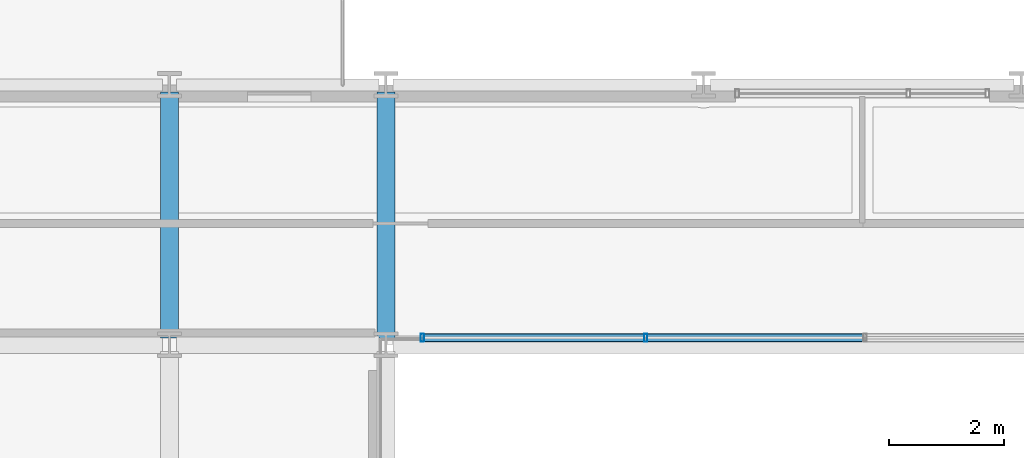
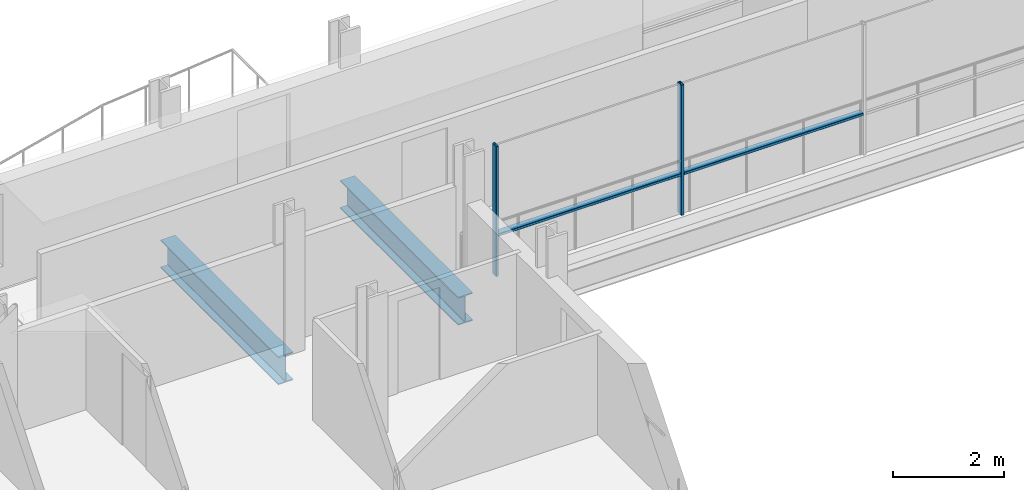
# One storey, part 9 of 41: 4 members, 2 beams, 1 element without a shape of its own.
"""IFC4 building model written with IfcOpenShell, lengths in metres."""

from ifc_helpers import new_model, si_unit, direction, frame, origin, origin_2d, place, context, subcontext, project, spatial, hollow_rectangle, i_section, extrude, material, layer, layer_set, material_profile, profile_set, type_object, element, aggregate, save


model = new_model("IFC4")

# Units and contexts
model_context = context("Model", 3, precision=1e-05, world=origin(), true_north=direction((0.0, 1.0)))
body_context = subcontext(model_context, "Body", "Model", "MODEL_VIEW")
ifc_project = project(units=[si_unit("LENGTHUNIT", "METRE"), si_unit("AREAUNIT", "SQUARE_METRE"), si_unit("VOLUMEUNIT", "CUBIC_METRE"), si_unit("PLANEANGLEUNIT", "RADIAN"), si_unit("MASSUNIT", "GRAM", prefix="KILO")], contexts=[model_context])

# Site, building, storey
site_placement = place(None, origin())
site = spatial("IfcSite", under=ifc_project, at=site_placement, CompositionType="ELEMENT")
building_placement = place(site_placement, origin())
building = spatial("IfcBuilding", under=site, at=building_placement, Name="Brevholm Reach", CompositionType="ELEMENT")
storey_placement = place(building_placement, frame((0.0, 0.0, 74.5)))
storey = spatial("IfcBuildingStorey", under=building, at=storey_placement, Name="L21", CompositionType="ELEMENT", Elevation=74.5)

# Beams
ifc_material_1 = material(Name="Structural Steel S355J2", Category="steel")
ifc_material_profile_1 = material_profile(ifc_material_1, i_section(OverallWidth=0.30712890625, OverallDepth=0.6201171875, WebThickness=0.01416015625, FlangeThickness=0.023681640625, FilletRadius=0.0166015625, at=origin_2d()), Name="UKB 610x305x179")
ifc_profile_set_1 = profile_set([ifc_material_profile_1], Name="Structural Steel S355J2")
beam_type = type_object("IfcBeamType", Name="BM-UKB610H", PredefinedType="USERDEFINED", material=ifc_profile_set_1)
for number, where, z_axis, x_axis, name in (
    (1, (18.0, 26.6201171875, -0.5400390625), (0.0, 1.0, 0.0), (-1.0, 0.0, 0.0), "L21 G-06 Framing Beam"),
    (2, (21.75, 26.6201171875, -0.5400390625), (0.0, 1.0, 0.0), (-1.0, 0.0, 0.0), "L21 G-06 Framing Beam"),
):
    element("IfcBeam", number, at=place(storey_placement, frame(where, z_axis=z_axis, x_axis=x_axis)), inside=storey, type_object=beam_type, Name=name, ObjectType="GIRDER", PredefinedType="USERDEFINED", context=body_context, shape_type="SweptSolid", body=[
        extrude(i_section(OverallWidth=0.30712890625, OverallDepth=0.6201171875, WebThickness=0.01416015625, FlangeThickness=0.023681640625, FilletRadius=0.0166015625, at=origin_2d()), origin(), (0.0, 0.0, 1.0), 4.259765625),
    ])

# Curtain wall, members
ifc_material_2 = material(Name="Dark Anodised Aluminium 6063-T6 and Solar-Control Glass", Category="aluminium")
ifc_layer = layer(ifc_material_2, 0.139892578125)
ifc_layer_set = layer_set([ifc_layer], Name="Dark Anodised Aluminium 6063-T6 and Solar-Control Glass")
curtain_wall_type = type_object("IfcCurtainWallType", Name="CW-02", PredefinedType="NOTDEFINED", material=ifc_layer_set)
curtain_wall_placement = place(storey_placement, origin())
curtain_wall = element("IfcCurtainWall", 3, at=curtain_wall_placement, inside=storey, type_object=curtain_wall_type, Name="L21 Curtain Wall CW-02", PredefinedType="NOTDEFINED")
ifc_material_3 = material(Name="Dark Anodised Aluminium 6063-T6", Category="aluminium")
ifc_material_profile_2 = material_profile(ifc_material_3, hollow_rectangle(XDim=0.06005859375, YDim=0.139892578125, WallThickness=0.0048828125, InnerFilletRadius=0.0048828125, OuterFilletRadius=0.010009765625, at=origin_2d()), Name="RHS 140x60x5")
ifc_profile_set_2 = profile_set([ifc_material_profile_2], Name="Dark Anodised Aluminium 6063-T6")
member_type_1 = type_object("IfcMemberType", Name="CWM-140", PredefinedType="MULLION", material=ifc_profile_set_2)
member_1_placement = place(storey_placement, frame((26.25, 26.6201171875, 0.0), z_axis=(0.0, 0.0, 1.0), x_axis=(-1.0, 0.0, 0.0)))
member_1 = element("IfcMember", 4, at=member_1_placement, type_object=member_type_1, Name="CM-140 Mullion 4", PredefinedType="MULLION", context=body_context, shape_type="SweptSolid", body=[
    extrude(hollow_rectangle(XDim=0.06005859375, YDim=0.139892578125, WallThickness=0.0048828125, InnerFilletRadius=0.0048828125, OuterFilletRadius=0.010009765625, at=origin_2d()), origin(), (0.0, 0.0, 1.0), 2.8701171875),
])
member_2_placement = place(storey_placement, frame((22.3798828125, 26.6201171875, 0.0), z_axis=(0.0, 0.0, 1.0), x_axis=(-1.0, 0.0, 0.0)))
member_2 = element("IfcMember", 5, at=member_2_placement, type_object=member_type_1, Name="CM-140 Mullion 5", PredefinedType="MULLION", context=body_context, shape_type="SweptSolid", body=[
    extrude(hollow_rectangle(XDim=0.06005859375, YDim=0.139892578125, WallThickness=0.0048828125, InnerFilletRadius=0.0048828125, OuterFilletRadius=0.010009765625, at=origin_2d()), origin(), (0.0, 0.0, 1.0), 2.8701171875),
])
ifc_material_4 = material(Name="Dark Anodised Aluminium 6063-T6", Category="aluminium")
ifc_material_profile_3 = material_profile(ifc_material_4, hollow_rectangle(XDim=0.06005859375, YDim=0.139892578125, WallThickness=0.0048828125, InnerFilletRadius=0.0048828125, OuterFilletRadius=0.010009765625, at=origin_2d()), Name="RHS 140x60x5")
ifc_profile_set_3 = profile_set([ifc_material_profile_3], Name="Dark Anodised Aluminium 6063-T6")
member_type_2 = type_object("IfcMemberType", Name="CWT-140", PredefinedType="NOTDEFINED", material=ifc_profile_set_3)
member_3_placement = place(storey_placement, frame((30.02001953125, 26.6201171875, 0.89990234375), z_axis=(-1.0, 0.0, 0.0), x_axis=(0.0, 0.0, 1.0)))
member_3 = element("IfcMember", 6, at=member_3_placement, type_object=member_type_2, Name="CT-140 Transom 3.1", ObjectType="TRANSOM", PredefinedType="USERDEFINED", context=body_context, shape_type="SweptSolid", body=[
    extrude(hollow_rectangle(XDim=0.06005859375, YDim=0.139892578125, WallThickness=0.0048828125, InnerFilletRadius=0.0048828125, OuterFilletRadius=0.010009765625, at=origin_2d()), origin(), (0.0, 0.0, 1.0), 3.739990234375),
])
member_4_placement = place(storey_placement, frame((26.219970703125, 26.6201171875, 0.89990234375), z_axis=(-1.0, 0.0, 0.0), x_axis=(0.0, 0.0, 1.0)))
member_4 = element("IfcMember", 7, at=member_4_placement, type_object=member_type_2, Name="CT-140 Transom 4.1", ObjectType="TRANSOM", PredefinedType="USERDEFINED", context=body_context, shape_type="SweptSolid", body=[
    extrude(hollow_rectangle(XDim=0.06005859375, YDim=0.139892578125, WallThickness=0.0048828125, InnerFilletRadius=0.0048828125, OuterFilletRadius=0.010009765625, at=origin_2d()), origin(), (0.0, 0.0, 1.0), 3.81005859375),
])
aggregate(curtain_wall, [member_1, member_2, member_3, member_4])

save(model, "model.ifc")
